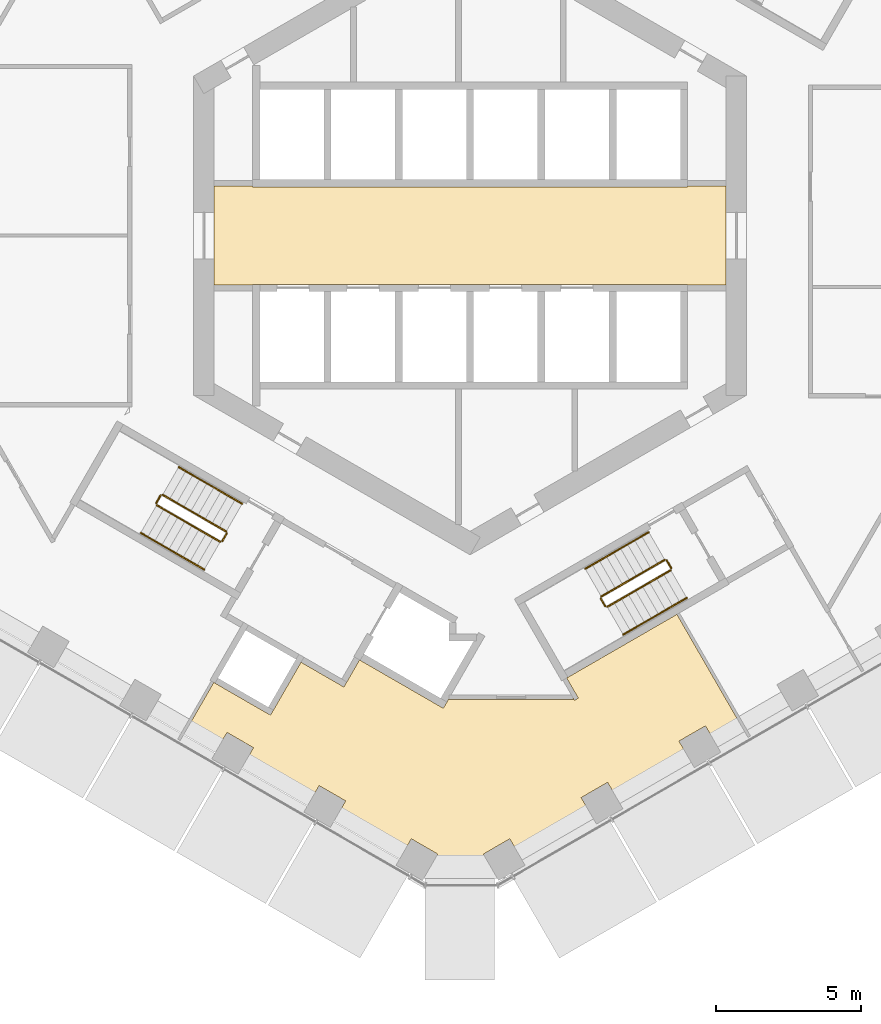
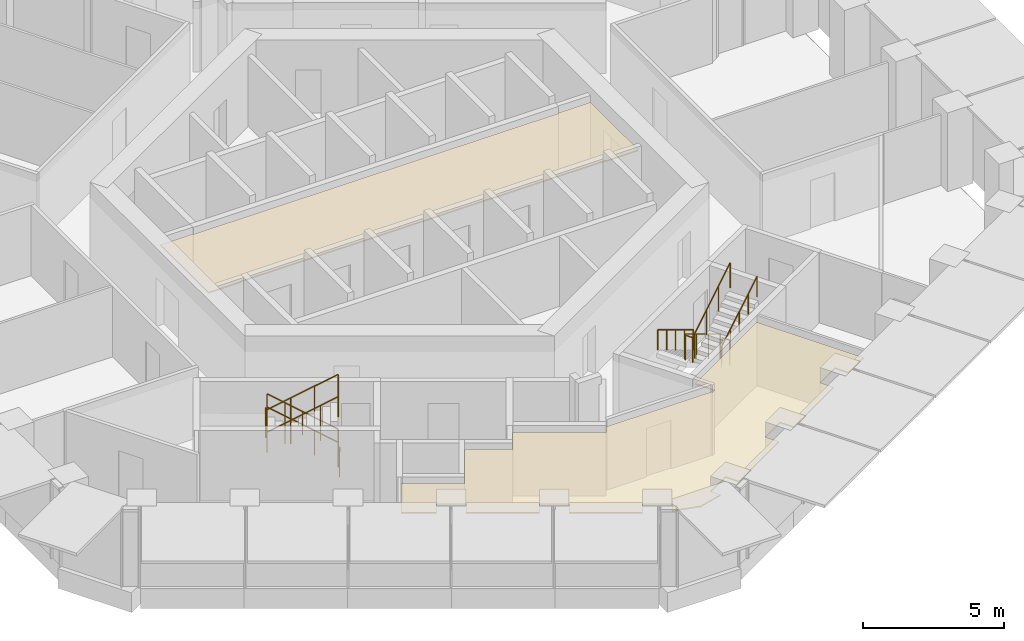
# One storey, part 18 of 19: 16 railings, 2 coverings.
"""IFC4 building model written with IfcOpenShell, lengths in metres."""

from ifc_helpers import new_model, si_unit, direction, frame, origin, origin_2d, place, context, subcontext, project, spatial, polyline, circle, outline, extrude, material, layer, layer_set, type_object, element, save


model = new_model("IFC4")

# Units and contexts
model_context = context("Model", 3, precision=1e-05, world=origin(), true_north=direction((0.0, 1.0)))
body_context = subcontext(model_context, "Body", "Model", "MODEL_VIEW")
ifc_project = project(units=[si_unit("LENGTHUNIT", "METRE"), si_unit("AREAUNIT", "SQUARE_METRE"), si_unit("VOLUMEUNIT", "CUBIC_METRE"), si_unit("PLANEANGLEUNIT", "RADIAN"), si_unit("MASSUNIT", "GRAM", prefix="KILO")], contexts=[model_context])

# Site, building, storey
site_placement = place(None, origin())
site = spatial("IfcSite", under=ifc_project, at=site_placement, CompositionType="ELEMENT")
building_placement = place(site_placement, origin())
building = spatial("IfcBuilding", under=site, at=building_placement, Name="Ayvan Gate Tower", CompositionType="ELEMENT")
storey_placement = place(building_placement, frame((0.0, 0.0, 100.10009765625)))
storey = spatial("IfcBuildingStorey", under=building, at=storey_placement, Name="L26", CompositionType="ELEMENT", Elevation=100.10009765625)

# Coverings
ifc_material_1 = material(Name="Plasterboard suspended ceiling")
ifc_layer = layer(ifc_material_1, 0.050048828125)
ifc_layer_set = layer_set([ifc_layer], Name="Plasterboard suspended ceiling")
covering_type = type_object("IfcCoveringType", Name="CT-SUSP-50", PredefinedType="CEILING", material=ifc_layer_set)
covering_1_placement = place(storey_placement, frame((0.0, 0.0, 2.699951171875)))
element("IfcCovering", 1, at=covering_1_placement, inside=storey, type_object=covering_type, Name="Ceiling Lift Lobby L26", PredefinedType="CEILING", context=body_context, shape_type="SweptSolid", body=[
    extrude(outline(polyline([(7.47509765625, -1.675048828125), (-7.47509765625, -1.675048828125), (-7.47509765625, -1.699951171875), (-8.800048828125, -1.699951171875), (-8.800048828125, 1.699951171875), (-7.47509765625, 1.699951171875), (-7.47509765625, 1.675048828125), (7.47509765625, 1.675048828125), (7.47509765625, 1.699951171875), (8.800048828125, 1.699951171875), (8.800048828125, -1.699951171875), (7.47509765625, -1.699951171875), (7.47509765625, -1.675048828125)])), origin(), (0.0, 0.0, 1.0), 0.050048828125),
])
covering_2_placement = place(storey_placement, frame((0.0, 0.0, 2.699951171875)))
element("IfcCovering", 2, at=covering_2_placement, inside=storey, type_object=covering_type, Name="Ceiling Shared Kitchen L26", PredefinedType="CEILING", context=body_context, shape_type="SweptSolid", body=[
    extrude(outline(polyline([(-6.858154296875, -16.478515625), (-6.76806640625, -16.32275390625), (-5.80810546875, -14.659912109375), (-4.3359375, -15.510009765625), (-4.245849609375, -15.35400390625), (-4.235595703125, -15.33642578125), (-3.798583984375, -14.5791015625), (-3.775390625, -14.59228515625), (-0.9189453125, -16.24169921875), (-0.803955078125, -16.042236328125), (-0.744384765625, -15.939697265625), (3.5419921875, -15.939697265625), (3.5419921875, -15.884765625), (3.589599609375, -15.967041015625), (3.71923828125, -15.89208984375), (3.320556640625, -15.201416015625), (3.346435546875, -15.186279296875), (7.109375, -13.013916015625), (9.291259765625, -16.79296875), (8.367919921875, -17.326171875), (8.090576171875, -16.845703125), (7.18115234375, -17.370849609375), (7.45849609375, -17.851318359375), (5.4375, -19.01806640625), (5.005615234375, -19.267333984375), (4.72802734375, -18.787109375), (3.81884765625, -19.31201171875), (4.09619140625, -19.79248046875), (1.64306640625, -21.208740234375), (1.36572265625, -20.728515625), (0.456298828125, -21.25341796875), (0.6611328125, -21.60791015625), (-0.296630859375, -21.864501953125), (-1.305908203125, -21.593994140625), (-1.109130859375, -21.25341796875), (-2.0185546875, -20.728515625), (-2.281005859375, -21.18310546875), (-3.50732421875, -20.47509765625), (-4.538330078125, -19.8798828125), (-4.27587890625, -19.425048828125), (-5.18505859375, -18.900146484375), (-5.447509765625, -19.354736328125), (-7.704833984375, -18.051513671875), (-7.4423828125, -17.596923828125), (-8.351806640625, -17.072021484375), (-8.6142578125, -17.526611328125), (-9.699462890625, -16.89990234375), (-8.806640625, -15.353515625), (-8.763427734375, -15.378662109375), (-6.858154296875, -16.478515625)])), origin(), (0.0, 0.0, 1.0), 0.050048828125),
])

# Railings
ifc_material_2 = material(Name="Stainless steel balustrade", Category="steel")
railing_type_1 = type_object("IfcRailingType", Name="RL-GUARD-1100", PredefinedType="GUARDRAIL", material=ifc_material_2)
railing_1_placement = place(storey_placement, frame((-8.381103515625, -10.16650390625, 0.169921875)))
element("IfcRailing", 3, at=railing_1_placement, inside=storey, type_object=railing_type_1, Name="L26 STS2 stair guard 1", PredefinedType="GUARDRAIL", context=body_context, shape_type="SweptSolid", body=[
    extrude(circle(Radius=0.02392578125, at=origin_2d()), frame((0.0, 0.0, 1.076171875), z_axis=(-0.740261155115, 0.427395438142, 0.518986090067), x_axis=(-0.500004791531, -0.866022637375, 0.0)), (0.0, 0.0, 1.0), 2.947998046875),
    extrude(circle(Radius=0.02099609375, at=origin_2d()), origin(), (0.0, 0.0, 1.0), 1.052001953125),
    extrude(circle(Radius=0.02099609375, at=origin_2d()), frame((-0.7275390625, 0.419921875, 0.510009765625)), (0.0, 0.0, 1.0), 1.052001953125),
    extrude(circle(Radius=0.02099609375, at=origin_2d()), frame((-1.454833984375, 0.840087890625, 1.02001953125)), (0.0, 0.0, 1.0), 1.052001953125),
    extrude(circle(Radius=0.02099609375, at=origin_2d()), frame((-2.182373046875, 1.260009765625, 1.530029296875)), (0.0, 0.0, 1.0), 1.052001953125),
])
railing_2_placement = place(storey_placement, frame((-10.6318359375, -8.9248046875, 1.699951171875)))
element("IfcRailing", 4, at=railing_2_placement, inside=storey, type_object=railing_type_1, Name="L26 STS2 stair guard 2", PredefinedType="GUARDRAIL", context=body_context, shape_type="SweptSolid", body=[
    extrude(circle(Radius=0.02392578125, at=origin_2d()), frame((0.0, 0.0, 1.076171875), z_axis=(-0.499949632511, -0.866054481515, 0.0), x_axis=(0.866054481515, -0.499949632511, 0.0)), (0.0, 0.0, 1.0), 0.31005859375),
    extrude(circle(Radius=0.02099609375, at=origin_2d()), origin(), (0.0, 0.0, 1.0), 1.052001953125),
    extrude(circle(Radius=0.02099609375, at=origin_2d()), frame((-0.155029296875, -0.2685546875, 0.0)), (0.0, 0.0, 1.0), 1.052001953125),
])
railing_3_placement = place(storey_placement, frame((-10.7685546875, -9.261474609375, 1.869873046875)))
element("IfcRailing", 5, at=railing_3_placement, inside=storey, type_object=railing_type_1, Name="L26 STS2 stair guard 3", PredefinedType="GUARDRAIL", context=body_context, shape_type="SweptSolid", body=[
    extrude(circle(Radius=0.02392578125, at=origin_2d()), frame((0.0, 0.0, 1.076171875), z_axis=(0.740261155115, -0.427395438142, 0.518986090067), x_axis=(0.500004791531, 0.866022637375, 0.0)), (0.0, 0.0, 1.0), 2.947998046875),
    extrude(circle(Radius=0.02099609375, at=origin_2d()), origin(), (0.0, 0.0, 1.0), 1.052001953125),
    extrude(circle(Radius=0.02099609375, at=origin_2d()), frame((0.7275390625, -0.419921875, 0.510009765625)), (0.0, 0.0, 1.0), 1.052001953125),
    extrude(circle(Radius=0.02099609375, at=origin_2d()), frame((1.454833984375, -0.840087890625, 1.02001953125)), (0.0, 0.0, 1.0), 1.052001953125),
    extrude(circle(Radius=0.02099609375, at=origin_2d()), frame((2.182373046875, -1.260009765625, 1.530029296875)), (0.0, 0.0, 1.0), 1.052001953125),
])
railing_4_placement = place(storey_placement, frame((-8.36279296875, -10.23486328125, 0.0)))
element("IfcRailing", 6, at=railing_4_placement, inside=storey, type_object=railing_type_1, Name="L26 STS2 stair guard 4", PredefinedType="GUARDRAIL", context=body_context, shape_type="SweptSolid", body=[
    extrude(circle(Radius=0.02392578125, at=origin_2d()), frame((0.0, 0.0, 1.076171875), z_axis=(-0.500290723946, -0.86585748916, 0.0), x_axis=(0.86585748916, -0.500290723946, 0.0)), (0.0, 0.0, 1.0), 0.309814453125),
    extrude(circle(Radius=0.02099609375, at=origin_2d()), origin(), (0.0, 0.0, 1.0), 1.052001953125),
    extrude(circle(Radius=0.02099609375, at=origin_2d()), frame((-0.155029296875, -0.268310546875, 0.0)), (0.0, 0.0, 1.0), 1.052001953125),
])
railing_5_placement = place(storey_placement, frame((6.6923828125, -11.1416015625, 0.169921875)))
element("IfcRailing", 7, at=railing_5_placement, inside=storey, type_object=railing_type_1, Name="L26 STS3 stair guard 1", PredefinedType="GUARDRAIL", context=body_context, shape_type="SweptSolid", body=[
    extrude(circle(Radius=0.02392578125, at=origin_2d()), frame((0.0, 0.0, 1.076171875), z_axis=(-0.740261155115, -0.427395438142, 0.518986090067), x_axis=(0.500004791531, -0.866022637375, 0.0)), (0.0, 0.0, 1.0), 2.947998046875),
    extrude(circle(Radius=0.02099609375, at=origin_2d()), origin(), (0.0, 0.0, 1.0), 1.052001953125),
    extrude(circle(Radius=0.02099609375, at=origin_2d()), frame((-0.7275390625, -0.419921875, 0.510009765625)), (0.0, 0.0, 1.0), 1.052001953125),
    extrude(circle(Radius=0.02099609375, at=origin_2d()), frame((-1.454833984375, -0.840087890625, 1.02001953125)), (0.0, 0.0, 1.0), 1.052001953125),
    extrude(circle(Radius=0.02099609375, at=origin_2d()), frame((-2.182373046875, -1.260009765625, 1.530029296875)), (0.0, 0.0, 1.0), 1.052001953125),
])
railing_6_placement = place(storey_placement, frame((4.49169921875, -12.4697265625, 1.699951171875)))
element("IfcRailing", 8, at=railing_6_placement, inside=storey, type_object=railing_type_1, Name="L26 STS3 stair guard 2", PredefinedType="GUARDRAIL", context=body_context, shape_type="SweptSolid", body=[
    extrude(circle(Radius=0.02392578125, at=origin_2d()), frame((0.0, 0.0, 1.076171875), z_axis=(0.499949632511, -0.866054481515, 0.0), x_axis=(0.866054481515, 0.499949632511, 0.0)), (0.0, 0.0, 1.0), 0.31005859375),
    extrude(circle(Radius=0.02099609375, at=origin_2d()), origin(), (0.0, 0.0, 1.0), 1.052001953125),
    extrude(circle(Radius=0.02099609375, at=origin_2d()), frame((0.155029296875, -0.2685546875, 0.0)), (0.0, 0.0, 1.0), 1.052001953125),
])
railing_7_placement = place(storey_placement, frame((4.715087890625, -12.756591796875, 1.869873046875)))
element("IfcRailing", 9, at=railing_7_placement, inside=storey, type_object=railing_type_1, Name="L26 STS3 stair guard 3", PredefinedType="GUARDRAIL", context=body_context, shape_type="SweptSolid", body=[
    extrude(circle(Radius=0.02392578125, at=origin_2d()), frame((0.0, 0.0, 1.076171875), z_axis=(0.740261155115, 0.427395438142, 0.518986090067), x_axis=(-0.500004791531, 0.866022637375, 0.0)), (0.0, 0.0, 1.0), 2.947998046875),
    extrude(circle(Radius=0.02099609375, at=origin_2d()), origin(), (0.0, 0.0, 1.0), 1.052001953125),
    extrude(circle(Radius=0.02099609375, at=origin_2d()), frame((0.7275390625, 0.419921875, 0.510009765625)), (0.0, 0.0, 1.0), 1.052001953125),
    extrude(circle(Radius=0.02099609375, at=origin_2d()), frame((1.454833984375, 0.840087890625, 1.02001953125)), (0.0, 0.0, 1.0), 1.052001953125),
    extrude(circle(Radius=0.02099609375, at=origin_2d()), frame((2.182373046875, 1.260009765625, 1.530029296875)), (0.0, 0.0, 1.0), 1.052001953125),
])
railing_8_placement = place(storey_placement, frame((6.7607421875, -11.159912109375, 0.0)))
element("IfcRailing", 10, at=railing_8_placement, inside=storey, type_object=railing_type_1, Name="L26 STS3 stair guard 4", PredefinedType="GUARDRAIL", context=body_context, shape_type="SweptSolid", body=[
    extrude(circle(Radius=0.02392578125, at=origin_2d()), frame((0.0, 0.0, 1.076171875), z_axis=(0.500290723946, -0.86585748916, 0.0), x_axis=(0.86585748916, 0.500290723946, 0.0)), (0.0, 0.0, 1.0), 0.309814453125),
    extrude(circle(Radius=0.02099609375, at=origin_2d()), origin(), (0.0, 0.0, 1.0), 1.052001953125),
    extrude(circle(Radius=0.02099609375, at=origin_2d()), frame((0.155029296875, -0.268310546875, 0.0)), (0.0, 0.0, 1.0), 1.052001953125),
])
railing_type_2 = type_object("IfcRailingType", Name="RL-HANDRAIL-900", PredefinedType="HANDRAIL", material=ifc_material_2)
railing_9_placement = place(storey_placement, frame((-7.8310546875, -9.2138671875, 0.169921875)))
element("IfcRailing", 11, at=railing_9_placement, inside=storey, type_object=railing_type_2, Name="L26 STS2 stair handrail 1", PredefinedType="HANDRAIL", context=body_context, shape_type="SweptSolid", body=[
    extrude(circle(Radius=0.02392578125, at=origin_2d()), frame((0.0, 0.0, 0.8759765625), z_axis=(-0.740356597536, 0.427319915356, 0.518912129772), x_axis=(-0.499890179513, -0.866088799389, 0.0)), (0.0, 0.0, 1.0), 1.47412109375),
    extrude(circle(Radius=0.02099609375, at=origin_2d()), origin(), (0.0, 0.0, 1.0), 0.851806640625),
    extrude(circle(Radius=0.02099609375, at=origin_2d()), frame((-0.545654296875, 0.31494140625, 0.38232421875)), (0.0, 0.0, 1.0), 0.851806640625),
    extrude(circle(Radius=0.02099609375, at=origin_2d()), frame((-1.09130859375, 0.6298828125, 0.764892578125)), (0.0, 0.0, 1.0), 0.851806640625),
])
railing_10_placement = place(storey_placement, frame((-8.92236328125, -8.583984375, 0.934814453125)))
element("IfcRailing", 12, at=railing_10_placement, inside=storey, type_object=railing_type_2, Name="L26 STS2 stair handrail 2", PredefinedType="HANDRAIL", context=body_context, shape_type="SweptSolid", body=[
    extrude(circle(Radius=0.02392578125, at=origin_2d()), frame((0.0, 0.0, 0.8759765625), z_axis=(-0.740165700939, 0.427470949681, 0.519060037311), x_axis=(-0.50011940292, -0.865956455501, 0.0)), (0.0, 0.0, 1.0), 1.47412109375),
    extrude(circle(Radius=0.02099609375, at=origin_2d()), origin(), (0.0, 0.0, 1.0), 0.851806640625),
    extrude(circle(Radius=0.02099609375, at=origin_2d()), frame((-0.54541015625, 0.31494140625, 0.382568359375)), (0.0, 0.0, 1.0), 0.851806640625),
    extrude(circle(Radius=0.02099609375, at=origin_2d()), frame((-1.091064453125, 0.630126953125, 0.76513671875)), (0.0, 0.0, 1.0), 0.851806640625),
])
railing_11_placement = place(storey_placement, frame((-11.318603515625, -10.214111328125, 1.869873046875)))
element("IfcRailing", 13, at=railing_11_placement, inside=storey, type_object=railing_type_2, Name="L26 STS2 stair handrail 3", PredefinedType="HANDRAIL", context=body_context, shape_type="SweptSolid", body=[
    extrude(circle(Radius=0.02392578125, at=origin_2d()), frame((0.0, 0.0, 0.8759765625), z_axis=(0.740240574041, -0.427418550694, 0.518996411419), x_axis=(0.500035496587, 0.86600490885, 0.0)), (0.0, 0.0, 1.0), 1.474365234375),
    extrude(circle(Radius=0.02099609375, at=origin_2d()), origin(), (0.0, 0.0, 1.0), 0.851806640625),
    extrude(circle(Radius=0.02099609375, at=origin_2d()), frame((0.545654296875, -0.31494140625, 0.382568359375)), (0.0, 0.0, 1.0), 0.851806640625),
    extrude(circle(Radius=0.02099609375, at=origin_2d()), frame((1.09130859375, -0.630126953125, 0.76513671875)), (0.0, 0.0, 1.0), 0.851806640625),
])
railing_12_placement = place(storey_placement, frame((-10.227294921875, -10.84423828125, 2.635009765625)))
element("IfcRailing", 14, at=railing_12_placement, inside=storey, type_object=railing_type_2, Name="L26 STS2 stair handrail 4", PredefinedType="HANDRAIL", context=body_context, shape_type="SweptSolid", body=[
    extrude(circle(Radius=0.02392578125, at=origin_2d()), frame((0.0, 0.0, 0.8759765625), z_axis=(0.740356597536, -0.427319915356, 0.518912129772), x_axis=(0.499890179513, 0.866088799389, 0.0)), (0.0, 0.0, 1.0), 1.47412109375),
    extrude(circle(Radius=0.02099609375, at=origin_2d()), origin(), (0.0, 0.0, 1.0), 0.851806640625),
    extrude(circle(Radius=0.02099609375, at=origin_2d()), frame((0.545654296875, -0.31494140625, 0.38232421875)), (0.0, 0.0, 1.0), 0.851806640625),
    extrude(circle(Radius=0.02099609375, at=origin_2d()), frame((1.09130859375, -0.6298828125, 0.764892578125)), (0.0, 0.0, 1.0), 0.851806640625),
])
railing_13_placement = place(storey_placement, frame((6.142333984375, -10.18896484375, 0.169921875)))
element("IfcRailing", 15, at=railing_13_placement, inside=storey, type_object=railing_type_2, Name="L26 STS3 stair handrail 1", PredefinedType="HANDRAIL", context=body_context, shape_type="SweptSolid", body=[
    extrude(circle(Radius=0.02392578125, at=origin_2d()), frame((0.0, 0.0, 0.8759765625), z_axis=(-0.740281741151, -0.427372318678, 0.518975765278), x_axis=(0.499974077718, -0.866040369504, 0.0)), (0.0, 0.0, 1.0), 1.473876953125),
    extrude(circle(Radius=0.02099609375, at=origin_2d()), origin(), (0.0, 0.0, 1.0), 0.851806640625),
    extrude(circle(Radius=0.02099609375, at=origin_2d()), frame((-0.54541015625, -0.31494140625, 0.38232421875)), (0.0, 0.0, 1.0), 0.851806640625),
    extrude(circle(Radius=0.02099609375, at=origin_2d()), frame((-1.091064453125, -0.6298828125, 0.764892578125)), (0.0, 0.0, 1.0), 0.851806640625),
])
railing_14_placement = place(storey_placement, frame((5.05126953125, -10.81884765625, 0.934814453125)))
element("IfcRailing", 16, at=railing_14_placement, inside=storey, type_object=railing_type_2, Name="L26 STS3 stair handrail 2", PredefinedType="HANDRAIL", context=body_context, shape_type="SweptSolid", body=[
    extrude(circle(Radius=0.02392578125, at=origin_2d()), frame((0.0, 0.0, 0.8759765625), z_axis=(-0.740240574041, -0.427418550694, 0.518996411419), x_axis=(0.500035496587, -0.86600490885, 0.0)), (0.0, 0.0, 1.0), 1.474365234375),
    extrude(circle(Radius=0.02099609375, at=origin_2d()), origin(), (0.0, 0.0, 1.0), 0.851806640625),
    extrude(circle(Radius=0.02099609375, at=origin_2d()), frame((-0.545654296875, -0.31494140625, 0.382568359375)), (0.0, 0.0, 1.0), 0.851806640625),
    extrude(circle(Radius=0.02099609375, at=origin_2d()), frame((-1.09130859375, -0.630126953125, 0.76513671875)), (0.0, 0.0, 1.0), 0.851806640625),
])
railing_15_placement = place(storey_placement, frame((5.264892578125, -13.709228515625, 1.869873046875)))
element("IfcRailing", 17, at=railing_15_placement, inside=storey, type_object=railing_type_2, Name="L26 STS3 stair handrail 3", PredefinedType="HANDRAIL", context=body_context, shape_type="SweptSolid", body=[
    extrude(circle(Radius=0.02392578125, at=origin_2d()), frame((0.0, 0.0, 0.8759765625), z_axis=(0.740240574041, 0.427418550694, 0.518996411419), x_axis=(-0.500035496587, 0.86600490885, 0.0)), (0.0, 0.0, 1.0), 1.474365234375),
    extrude(circle(Radius=0.02099609375, at=origin_2d()), origin(), (0.0, 0.0, 1.0), 0.851806640625),
    extrude(circle(Radius=0.02099609375, at=origin_2d()), frame((0.545654296875, 0.31494140625, 0.382568359375)), (0.0, 0.0, 1.0), 0.851806640625),
    extrude(circle(Radius=0.02099609375, at=origin_2d()), frame((1.09130859375, 0.630126953125, 0.76513671875)), (0.0, 0.0, 1.0), 0.851806640625),
])
railing_16_placement = place(storey_placement, frame((6.356201171875, -13.0791015625, 2.635009765625)))
element("IfcRailing", 18, at=railing_16_placement, inside=storey, type_object=railing_type_2, Name="L26 STS3 stair handrail 4", PredefinedType="HANDRAIL", context=body_context, shape_type="SweptSolid", body=[
    extrude(circle(Radius=0.02392578125, at=origin_2d()), frame((0.0, 0.0, 0.8759765625), z_axis=(0.740281741151, 0.427372318678, 0.518975765278), x_axis=(-0.499974077718, 0.866040369504, 0.0)), (0.0, 0.0, 1.0), 1.473876953125),
    extrude(circle(Radius=0.02099609375, at=origin_2d()), origin(), (0.0, 0.0, 1.0), 0.851806640625),
    extrude(circle(Radius=0.02099609375, at=origin_2d()), frame((0.54541015625, 0.31494140625, 0.38232421875)), (0.0, 0.0, 1.0), 0.851806640625),
    extrude(circle(Radius=0.02099609375, at=origin_2d()), frame((1.091064453125, 0.6298828125, 0.764892578125)), (0.0, 0.0, 1.0), 0.851806640625),
])

save(model, "model.ifc")
